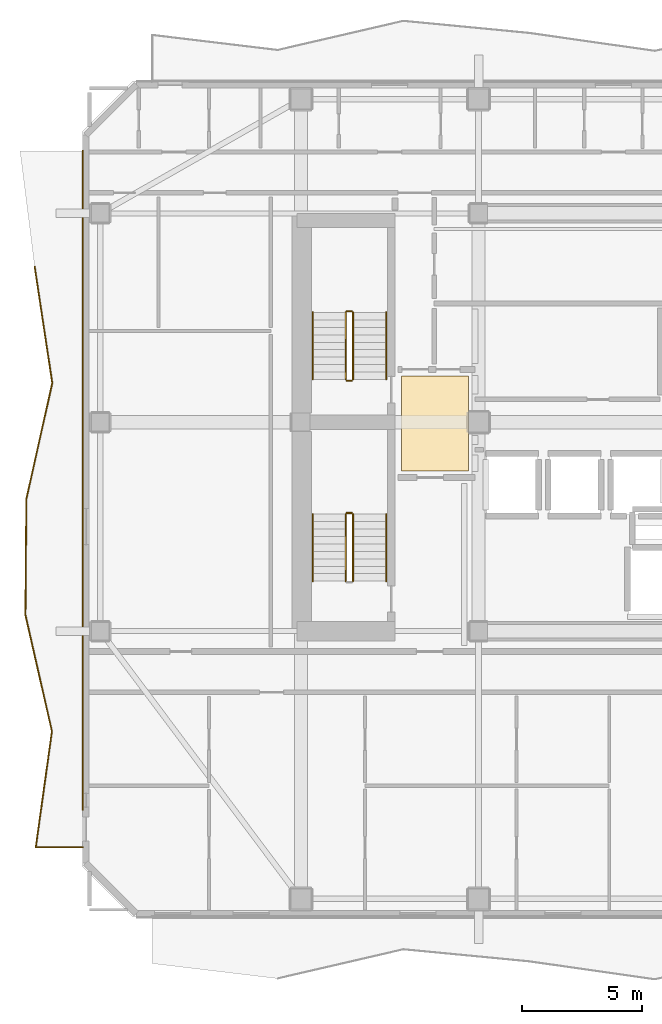
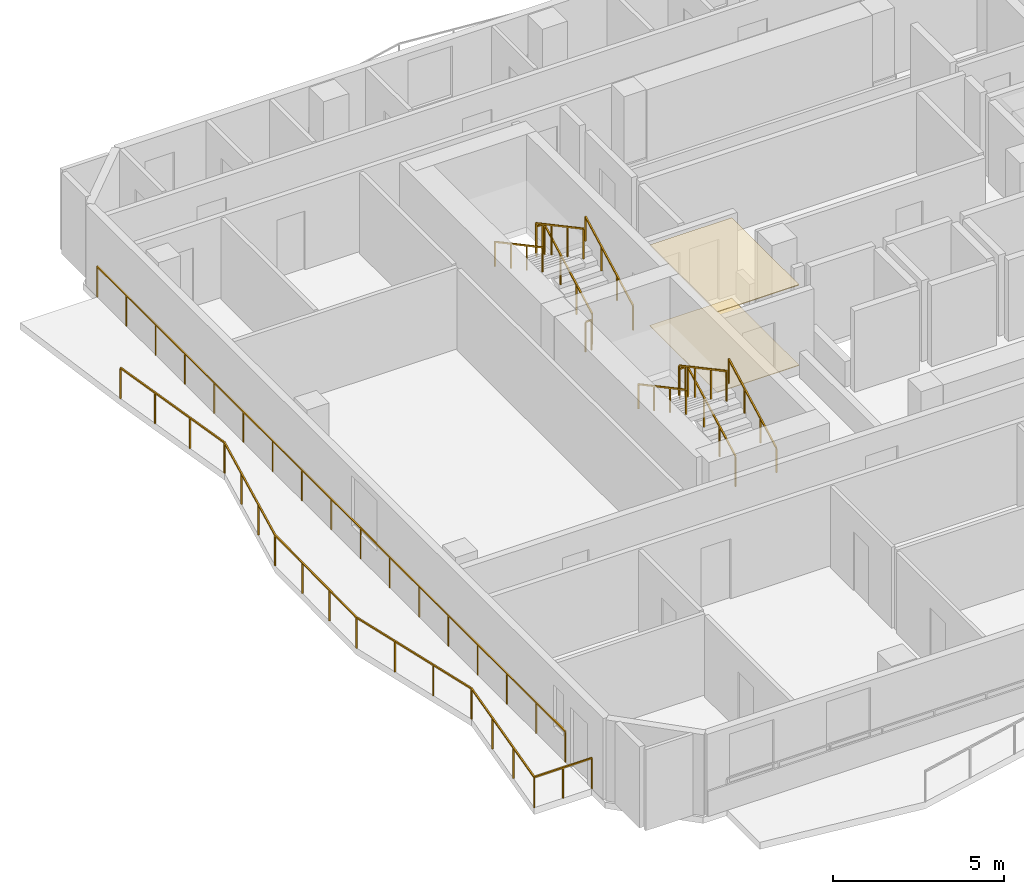
# One storey, part 8 of 10: 13 railings, 2 coverings.
"""IFC4 building model written with IfcOpenShell, lengths in metres."""

from ifc_helpers import new_model, si_unit, direction, frame, origin, origin_2d, place, context, subcontext, project, spatial, polyline, rectangle, outline, extrude, material, layer, layer_set, type_object, element, save


model = new_model("IFC4")

# Units and contexts
model_context = context("Model", 3, precision=1e-05, world=origin(), true_north=direction((0.0, 1.0)))
body_context = subcontext(model_context, "Body", "Model", "MODEL_VIEW")
ifc_project = project(units=[si_unit("LENGTHUNIT", "METRE"), si_unit("AREAUNIT", "SQUARE_METRE"), si_unit("VOLUMEUNIT", "CUBIC_METRE"), si_unit("PLANEANGLEUNIT", "RADIAN"), si_unit("MASSUNIT", "GRAM", prefix="KILO")], contexts=[model_context])

# Site, building, storey
site_placement = place(None, origin())
site = spatial("IfcSite", under=ifc_project, at=site_placement, CompositionType="ELEMENT")
building_placement = place(site_placement, origin())
building = spatial("IfcBuilding", under=site, at=building_placement, Name="Solanera Arch Residences", CompositionType="ELEMENT")
storey_placement = place(building_placement, frame((0.0, 0.0, 206.760009765625)))
storey = spatial("IfcBuildingStorey", under=building, at=storey_placement, Name="L60", CompositionType="ELEMENT", Elevation=206.760009765625)

# Railings
ifc_material_1 = material(Name="Steel S355 (ASTM A992 / A572 Grade 50)", Category="steel")
railing_type_1 = type_object("IfcRailingType", Name="Balustrade Railing BL-1100", PredefinedType="BALUSTRADE", material=ifc_material_1)
railing_1_placement = place(storey_placement, frame((2.31396484375, 37.1669921875, 0.0)))
element("IfcRailing", 1, at=railing_1_placement, inside=storey, type_object=railing_type_1, Name="L60 W Balcony Balustrade 1", PredefinedType="BALUSTRADE", context=body_context, shape_type="SweptSolid", body=[
    extrude(rectangle(XDim=0.048095703125, YDim=0.048095703125, at=origin_2d()), frame((0.0, 0.0, 1.09619140625), z_axis=(0.149707748238, -0.988730291898, 0.0), x_axis=(0.988730291898, 0.149707748238, 0.0)), (0.0, 0.0, 1.0), 4.88916015625),
    extrude(rectangle(XDim=0.048095703125, YDim=0.048095703125, at=origin_2d()), frame((0.73193359375, -4.833984375, 1.09619140625), z_axis=(-0.218052607805, -0.975937016528, 0.0), x_axis=(0.975937016528, -0.218052607805, 0.0)), (0.0, 0.0, 1.0), 4.9521484375),
    extrude(rectangle(XDim=0.048095703125, YDim=0.048095703125, at=origin_2d()), frame((-0.347900390625, -9.6669921875, 1.09619140625), z_axis=(-0.007880135199, -0.999968951253, 0.0), x_axis=(0.999968951253, -0.007880135199, 0.0)), (0.0, 0.0, 1.0), 4.833251953125),
    extrude(rectangle(XDim=0.048095703125, YDim=0.048095703125, at=origin_2d()), frame((-0.385986328125, -14.5, 1.09619140625), z_axis=(0.222650996843, -0.974898217049, 0.0), x_axis=(0.974898217049, 0.222650996843, 0.0)), (0.0, 0.0, 1.0), 4.95849609375),
    extrude(rectangle(XDim=0.048095703125, YDim=0.048095703125, at=origin_2d()), frame((0.718017578125, -19.333984375, 1.09619140625), z_axis=(-0.137693815217, -0.990474842311, 0.0), x_axis=(0.990474842311, -0.137693815217, 0.0)), (0.0, 0.0, 1.0), 4.87939453125),
    extrude(rectangle(XDim=0.048095703125, YDim=0.048095703125, at=origin_2d()), frame((0.046142578125, -24.1669921875, 1.09619140625), z_axis=(1.0, 0.0, 0.0), x_axis=(0.0, 1.0, 0.0)), (0.0, 0.0, 1.0), 1.9599609375),
    extrude(rectangle(XDim=0.0419921875, YDim=0.0419921875, at=origin_2d()), origin(), (0.0, 0.0, 1.0), 1.072021484375),
    extrude(rectangle(XDim=0.0419921875, YDim=0.0419921875, at=origin_2d()), frame((0.243896484375, -1.611328125, 0.0)), (0.0, 0.0, 1.0), 1.072021484375),
    extrude(rectangle(XDim=0.0419921875, YDim=0.0419921875, at=origin_2d()), frame((0.488037109375, -3.22265625, 0.0)), (0.0, 0.0, 1.0), 1.072021484375),
    extrude(rectangle(XDim=0.0419921875, YDim=0.0419921875, at=origin_2d()), frame((0.73193359375, -4.833984375, 0.0)), (0.0, 0.0, 1.0), 1.072021484375),
    extrude(rectangle(XDim=0.0419921875, YDim=0.0419921875, at=origin_2d()), frame((0.3720703125, -6.445068359375, 0.0)), (0.0, 0.0, 1.0), 1.072021484375),
    extrude(rectangle(XDim=0.0419921875, YDim=0.0419921875, at=origin_2d()), frame((0.011962890625, -8.055908203125, 0.0)), (0.0, 0.0, 1.0), 1.072021484375),
    extrude(rectangle(XDim=0.0419921875, YDim=0.0419921875, at=origin_2d()), frame((-0.347900390625, -9.6669921875, 0.0)), (0.0, 0.0, 1.0), 1.072021484375),
    extrude(rectangle(XDim=0.0419921875, YDim=0.0419921875, at=origin_2d()), frame((-0.360595703125, -11.278076171875, 0.0)), (0.0, 0.0, 1.0), 1.072021484375),
    extrude(rectangle(XDim=0.0419921875, YDim=0.0419921875, at=origin_2d()), frame((-0.373291015625, -12.888916015625, 0.0)), (0.0, 0.0, 1.0), 1.072021484375),
    extrude(rectangle(XDim=0.0419921875, YDim=0.0419921875, at=origin_2d()), frame((-0.385986328125, -14.5, 0.0)), (0.0, 0.0, 1.0), 1.072021484375),
    extrude(rectangle(XDim=0.0419921875, YDim=0.0419921875, at=origin_2d()), frame((-0.01806640625, -16.111328125, 0.0)), (0.0, 0.0, 1.0), 1.072021484375),
    extrude(rectangle(XDim=0.0419921875, YDim=0.0419921875, at=origin_2d()), frame((0.35009765625, -17.72265625, 0.0)), (0.0, 0.0, 1.0), 1.072021484375),
    extrude(rectangle(XDim=0.0419921875, YDim=0.0419921875, at=origin_2d()), frame((0.718017578125, -19.333984375, 0.0)), (0.0, 0.0, 1.0), 1.072021484375),
    extrude(rectangle(XDim=0.0419921875, YDim=0.0419921875, at=origin_2d()), frame((0.494140625, -20.945068359375, 0.0)), (0.0, 0.0, 1.0), 1.072021484375),
    extrude(rectangle(XDim=0.0419921875, YDim=0.0419921875, at=origin_2d()), frame((0.27001953125, -22.555908203125, 0.0)), (0.0, 0.0, 1.0), 1.072021484375),
    extrude(rectangle(XDim=0.0419921875, YDim=0.0419921875, at=origin_2d()), frame((0.046142578125, -24.1669921875, 0.0)), (0.0, 0.0, 1.0), 1.072021484375),
    extrude(rectangle(XDim=0.0419921875, YDim=0.0419921875, at=origin_2d()), frame((1.026123046875, -24.1669921875, 0.0)), (0.0, 0.0, 1.0), 1.072021484375),
    extrude(rectangle(XDim=0.0419921875, YDim=0.0419921875, at=origin_2d()), frame((2.006103515625, -24.1669921875, 0.0)), (0.0, 0.0, 1.0), 1.072021484375),
])
railing_2_placement = place(storey_placement, frame((4.320068359375, 14.554931640625, 0.0)))
element("IfcRailing", 2, at=railing_2_placement, inside=storey, type_object=railing_type_1, Name="L60 W Balcony Balustrade 2", PredefinedType="BALUSTRADE", context=body_context, shape_type="SweptSolid", body=[
    extrude(rectangle(XDim=0.048095703125, YDim=0.048095703125, at=origin_2d()), frame((0.0, 0.0, 1.09619140625), z_axis=(0.0, 1.0, 0.0), x_axis=(-1.0, 0.0, 0.0)), (0.0, 0.0, 1.0), 27.445068359375),
    extrude(rectangle(XDim=0.0419921875, YDim=0.0419921875, at=origin_2d()), origin(), (0.0, 0.0, 1.0), 1.072021484375),
    extrude(rectangle(XDim=0.0419921875, YDim=0.0419921875, at=origin_2d()), frame((0.0, 1.71533203125, 0.0)), (0.0, 0.0, 1.0), 1.072021484375),
    extrude(rectangle(XDim=0.0419921875, YDim=0.0419921875, at=origin_2d()), frame((0.0, 3.4306640625, 0.0)), (0.0, 0.0, 1.0), 1.072021484375),
    extrude(rectangle(XDim=0.0419921875, YDim=0.0419921875, at=origin_2d()), frame((0.0, 5.14599609375, 0.0)), (0.0, 0.0, 1.0), 1.072021484375),
    extrude(rectangle(XDim=0.0419921875, YDim=0.0419921875, at=origin_2d()), frame((0.0, 6.861328125, 0.0)), (0.0, 0.0, 1.0), 1.072021484375),
    extrude(rectangle(XDim=0.0419921875, YDim=0.0419921875, at=origin_2d()), frame((0.0, 8.57666015625, 0.0)), (0.0, 0.0, 1.0), 1.072021484375),
    extrude(rectangle(XDim=0.0419921875, YDim=0.0419921875, at=origin_2d()), frame((0.0, 10.2919921875, 0.0)), (0.0, 0.0, 1.0), 1.072021484375),
    extrude(rectangle(XDim=0.0419921875, YDim=0.0419921875, at=origin_2d()), frame((0.0, 12.00732421875, 0.0)), (0.0, 0.0, 1.0), 1.072021484375),
    extrude(rectangle(XDim=0.0419921875, YDim=0.0419921875, at=origin_2d()), frame((0.0, 13.72265625, 0.0)), (0.0, 0.0, 1.0), 1.072021484375),
    extrude(rectangle(XDim=0.0419921875, YDim=0.0419921875, at=origin_2d()), frame((0.0, 15.437744140625, 0.0)), (0.0, 0.0, 1.0), 1.072021484375),
    extrude(rectangle(XDim=0.0419921875, YDim=0.0419921875, at=origin_2d()), frame((0.0, 17.153076171875, 0.0)), (0.0, 0.0, 1.0), 1.072021484375),
    extrude(rectangle(XDim=0.0419921875, YDim=0.0419921875, at=origin_2d()), frame((0.0, 18.868408203125, 0.0)), (0.0, 0.0, 1.0), 1.072021484375),
    extrude(rectangle(XDim=0.0419921875, YDim=0.0419921875, at=origin_2d()), frame((0.0, 20.583740234375, 0.0)), (0.0, 0.0, 1.0), 1.072021484375),
    extrude(rectangle(XDim=0.0419921875, YDim=0.0419921875, at=origin_2d()), frame((0.0, 22.299072265625, 0.0)), (0.0, 0.0, 1.0), 1.072021484375),
    extrude(rectangle(XDim=0.0419921875, YDim=0.0419921875, at=origin_2d()), frame((0.0, 24.014404296875, 0.0)), (0.0, 0.0, 1.0), 1.072021484375),
    extrude(rectangle(XDim=0.0419921875, YDim=0.0419921875, at=origin_2d()), frame((0.0, 25.729736328125, 0.0)), (0.0, 0.0, 1.0), 1.072021484375),
    extrude(rectangle(XDim=0.0419921875, YDim=0.0419921875, at=origin_2d()), frame((0.0, 27.445068359375, 0.0)), (0.0, 0.0, 1.0), 1.072021484375),
])

# Covering
ifc_material_2 = material(Name="Porcelain Acoustic Floor Tile", Category="ceramic")
ifc_layer_1 = layer(ifc_material_2, 0.02001953125)
ifc_layer_set_1 = layer_set([ifc_layer_1], Name="Porcelain Acoustic Floor Tile")
covering_type_1 = type_object("IfcCoveringType", Name="Porcelain Acoustic Floor Finish FLR-20", PredefinedType="FLOORING", material=ifc_layer_set_1)
covering_1_placement = place(storey_placement, origin())
element("IfcCovering", 3, at=covering_1_placement, inside=storey, type_object=covering_type_1, Name="L60-FFL-W Porcelain Floor Finish", PredefinedType="FLOORING", context=body_context, shape_type="SweptSolid", body=[
    extrude(outline(polyline([(20.375, 28.675048828125), (17.594970703125, 28.675048828125), (17.594970703125, 32.625), (20.375, 32.625), (20.375, 28.675048828125)])), origin(), (0.0, 0.0, 1.0), 0.02001953125),
])

# Railings
ifc_material_3 = material(Name="Steel S355 (ASTM A992 / A572 Grade 50)", Category="steel")
railing_type_2 = type_object("IfcRailingType", Name="Stair Guardrail GR-1100", PredefinedType="GUARDRAIL", material=ifc_material_3)
railing_3_placement = place(storey_placement, frame((15.570068359375, 32.47998046875, 0.15087890625)))
element("IfcRailing", 4, at=railing_3_placement, inside=storey, type_object=railing_type_2, Name="L60 ST-T1 stair guard 1", PredefinedType="GUARDRAIL", context=body_context, shape_type="SweptSolid", body=[
    extrude(rectangle(XDim=0.048095703125, YDim=0.048095703125, at=origin_2d()), frame((0.0, 0.0, 1.076171875), z_axis=(0.0, 0.881548766853, 0.472092969298), x_axis=(-1.0, 0.0, 0.0)), (0.0, 0.0, 1.0), 3.1650390625),
    extrude(rectangle(XDim=0.0419921875, YDim=0.0419921875, at=origin_2d()), origin(), (0.0, 0.0, 1.0), 1.052001953125),
    extrude(rectangle(XDim=0.0419921875, YDim=0.0419921875, at=origin_2d()), frame((0.0, 0.929931640625, 0.498046875)), (0.0, 0.0, 1.0), 1.052001953125),
    extrude(rectangle(XDim=0.0419921875, YDim=0.0419921875, at=origin_2d()), frame((0.0, 1.860107421875, 0.99609375)), (0.0, 0.0, 1.0), 1.052001953125),
    extrude(rectangle(XDim=0.0419921875, YDim=0.0419921875, at=origin_2d()), frame((0.0, 2.7900390625, 1.494140625)), (0.0, 0.0, 1.0), 1.052001953125),
])
railing_4_placement = place(storey_placement, frame((15.52001953125, 35.320068359375, 1.64501953125)))
element("IfcRailing", 5, at=railing_4_placement, inside=storey, type_object=railing_type_2, Name="L60 ST-T1 stair guard 2", PredefinedType="GUARDRAIL", context=body_context, shape_type="SweptSolid", body=[
    extrude(rectangle(XDim=0.048095703125, YDim=0.048095703125, at=origin_2d()), frame((0.0, 0.0, 1.076171875), z_axis=(-1.0, 0.0, 0.0), x_axis=(0.0, -1.0, 0.0)), (0.0, 0.0, 1.0), 0.199951171875),
    extrude(rectangle(XDim=0.0419921875, YDim=0.0419921875, at=origin_2d()), origin(), (0.0, 0.0, 1.0), 1.052001953125),
    extrude(rectangle(XDim=0.0419921875, YDim=0.0419921875, at=origin_2d()), frame((-0.199951171875, 0.0, 0.0)), (0.0, 0.0, 1.0), 1.052001953125),
])
railing_5_placement = place(storey_placement, frame((15.27001953125, 35.27001953125, 1.81103515625)))
element("IfcRailing", 6, at=railing_5_placement, inside=storey, type_object=railing_type_2, Name="L60 ST-T1 stair guard 3", PredefinedType="GUARDRAIL", context=body_context, shape_type="SweptSolid", body=[
    extrude(rectangle(XDim=0.048095703125, YDim=0.048095703125, at=origin_2d()), frame((0.0, 0.0, 1.076171875), z_axis=(0.0, -0.881580869306, 0.472033018838), x_axis=(1.0, 0.0, 0.0)), (0.0, 0.0, 1.0), 3.164794921875),
    extrude(rectangle(XDim=0.0419921875, YDim=0.0419921875, at=origin_2d()), origin(), (0.0, 0.0, 1.0), 1.052001953125),
    extrude(rectangle(XDim=0.0419921875, YDim=0.0419921875, at=origin_2d()), frame((0.0, -0.929931640625, 0.498046875)), (0.0, 0.0, 1.0), 1.052001953125),
    extrude(rectangle(XDim=0.0419921875, YDim=0.0419921875, at=origin_2d()), frame((0.0, -1.860107421875, 0.995849609375)), (0.0, 0.0, 1.0), 1.052001953125),
    extrude(rectangle(XDim=0.0419921875, YDim=0.0419921875, at=origin_2d()), frame((0.0, -2.7900390625, 1.493896484375)), (0.0, 0.0, 1.0), 1.052001953125),
])
railing_6_placement = place(storey_placement, frame((15.52001953125, 32.429931640625, -0.014892578125)))
element("IfcRailing", 7, at=railing_6_placement, inside=storey, type_object=railing_type_2, Name="L60 ST-T1 stair guard 4", PredefinedType="GUARDRAIL", context=body_context, shape_type="SweptSolid", body=[
    extrude(rectangle(XDim=0.048095703125, YDim=0.048095703125, at=origin_2d()), frame((0.0, 0.0, 1.076171875), z_axis=(-1.0, 0.0, 0.0), x_axis=(0.0, -1.0, 0.0)), (0.0, 0.0, 1.0), 0.199951171875),
    extrude(rectangle(XDim=0.0419921875, YDim=0.0419921875, at=origin_2d()), origin(), (0.0, 0.0, 1.0), 1.052001953125),
    extrude(rectangle(XDim=0.0419921875, YDim=0.0419921875, at=origin_2d()), frame((-0.199951171875, 0.0, 0.0)), (0.0, 0.0, 1.0), 1.052001953125),
])
railing_7_placement = place(storey_placement, frame((15.570068359375, 24.080078125, 0.15087890625)))
element("IfcRailing", 8, at=railing_7_placement, inside=storey, type_object=railing_type_2, Name="L60 ST-T3 stair guard 1", PredefinedType="GUARDRAIL", context=body_context, shape_type="SweptSolid", body=[
    extrude(rectangle(XDim=0.048095703125, YDim=0.048095703125, at=origin_2d()), frame((0.0, 0.0, 1.076171875), z_axis=(0.0, 0.881548766853, 0.472092969298), x_axis=(-1.0, 0.0, 0.0)), (0.0, 0.0, 1.0), 3.1650390625),
    extrude(rectangle(XDim=0.0419921875, YDim=0.0419921875, at=origin_2d()), origin(), (0.0, 0.0, 1.0), 1.052001953125),
    extrude(rectangle(XDim=0.0419921875, YDim=0.0419921875, at=origin_2d()), frame((0.0, 0.929931640625, 0.498046875)), (0.0, 0.0, 1.0), 1.052001953125),
    extrude(rectangle(XDim=0.0419921875, YDim=0.0419921875, at=origin_2d()), frame((0.0, 1.860107421875, 0.99609375)), (0.0, 0.0, 1.0), 1.052001953125),
    extrude(rectangle(XDim=0.0419921875, YDim=0.0419921875, at=origin_2d()), frame((0.0, 2.7900390625, 1.494140625)), (0.0, 0.0, 1.0), 1.052001953125),
])
railing_8_placement = place(storey_placement, frame((15.52001953125, 26.919921875, 1.64501953125)))
element("IfcRailing", 9, at=railing_8_placement, inside=storey, type_object=railing_type_2, Name="L60 ST-T3 stair guard 2", PredefinedType="GUARDRAIL", context=body_context, shape_type="SweptSolid", body=[
    extrude(rectangle(XDim=0.048095703125, YDim=0.048095703125, at=origin_2d()), frame((0.0, 0.0, 1.076171875), z_axis=(-1.0, 0.0, 0.0), x_axis=(0.0, -1.0, 0.0)), (0.0, 0.0, 1.0), 0.199951171875),
    extrude(rectangle(XDim=0.0419921875, YDim=0.0419921875, at=origin_2d()), origin(), (0.0, 0.0, 1.0), 1.052001953125),
    extrude(rectangle(XDim=0.0419921875, YDim=0.0419921875, at=origin_2d()), frame((-0.199951171875, 0.0, 0.0)), (0.0, 0.0, 1.0), 1.052001953125),
])
railing_9_placement = place(storey_placement, frame((15.27001953125, 26.8701171875, 1.81103515625)))
element("IfcRailing", 10, at=railing_9_placement, inside=storey, type_object=railing_type_2, Name="L60 ST-T3 stair guard 3", PredefinedType="GUARDRAIL", context=body_context, shape_type="SweptSolid", body=[
    extrude(rectangle(XDim=0.048095703125, YDim=0.048095703125, at=origin_2d()), frame((0.0, 0.0, 1.076171875), z_axis=(0.0, -0.881580869306, 0.472033018838), x_axis=(1.0, 0.0, 0.0)), (0.0, 0.0, 1.0), 3.164794921875),
    extrude(rectangle(XDim=0.0419921875, YDim=0.0419921875, at=origin_2d()), origin(), (0.0, 0.0, 1.0), 1.052001953125),
    extrude(rectangle(XDim=0.0419921875, YDim=0.0419921875, at=origin_2d()), frame((0.0, -0.929931640625, 0.498046875)), (0.0, 0.0, 1.0), 1.052001953125),
    extrude(rectangle(XDim=0.0419921875, YDim=0.0419921875, at=origin_2d()), frame((0.0, -1.860107421875, 0.995849609375)), (0.0, 0.0, 1.0), 1.052001953125),
    extrude(rectangle(XDim=0.0419921875, YDim=0.0419921875, at=origin_2d()), frame((0.0, -2.7900390625, 1.493896484375)), (0.0, 0.0, 1.0), 1.052001953125),
])
ifc_material_4 = material(Name="Steel S355 (ASTM A992 / A572 Grade 50)", Category="steel")
railing_type_3 = type_object("IfcRailingType", Name="Stair Wall Handrail HR-920", PredefinedType="HANDRAIL", material=ifc_material_4)
railing_10_placement = place(storey_placement, frame((16.949951171875, 32.47998046875, 0.166015625)))
element("IfcRailing", 11, at=railing_10_placement, inside=storey, type_object=railing_type_3, Name="L60 ST-T1 stair handrail 1", PredefinedType="HANDRAIL", context=body_context, shape_type="SweptSolid", body=[
    extrude(rectangle(XDim=0.048095703125, YDim=0.048095703125, at=origin_2d()), frame((0.0, 0.0, 0.8759765625), z_axis=(0.0, 0.881580869306, 0.472033018838), x_axis=(-1.0, 0.0, 0.0)), (0.0, 0.0, 1.0), 3.164794921875),
    extrude(rectangle(XDim=0.0419921875, YDim=0.0419921875, at=origin_2d()), origin(), (0.0, 0.0, 1.0), 0.851806640625),
    extrude(rectangle(XDim=0.0419921875, YDim=0.0419921875, at=origin_2d()), frame((0.0, 0.929931640625, 0.498046875)), (0.0, 0.0, 1.0), 0.851806640625),
    extrude(rectangle(XDim=0.0419921875, YDim=0.0419921875, at=origin_2d()), frame((0.0, 1.860107421875, 0.995849609375)), (0.0, 0.0, 1.0), 0.851806640625),
    extrude(rectangle(XDim=0.0419921875, YDim=0.0419921875, at=origin_2d()), frame((0.0, 2.7900390625, 1.493896484375)), (0.0, 0.0, 1.0), 0.851806640625),
])
railing_11_placement = place(storey_placement, frame((13.889892578125, 35.27001953125, 1.825927734375)))
element("IfcRailing", 12, at=railing_11_placement, inside=storey, type_object=railing_type_3, Name="L60 ST-T1 stair handrail 2", PredefinedType="HANDRAIL", context=body_context, shape_type="SweptSolid", body=[
    extrude(rectangle(XDim=0.048095703125, YDim=0.048095703125, at=origin_2d()), frame((0.0, 0.0, 0.8759765625), z_axis=(0.0, -0.881548766853, 0.472092969298), x_axis=(1.0, 0.0, 0.0)), (0.0, 0.0, 1.0), 3.1650390625),
    extrude(rectangle(XDim=0.0419921875, YDim=0.0419921875, at=origin_2d()), origin(), (0.0, 0.0, 1.0), 0.851806640625),
    extrude(rectangle(XDim=0.0419921875, YDim=0.0419921875, at=origin_2d()), frame((0.0, -0.929931640625, 0.498046875)), (0.0, 0.0, 1.0), 0.851806640625),
    extrude(rectangle(XDim=0.0419921875, YDim=0.0419921875, at=origin_2d()), frame((0.0, -1.860107421875, 0.99609375)), (0.0, 0.0, 1.0), 0.851806640625),
    extrude(rectangle(XDim=0.0419921875, YDim=0.0419921875, at=origin_2d()), frame((0.0, -2.7900390625, 1.494140625)), (0.0, 0.0, 1.0), 0.851806640625),
])
railing_12_placement = place(storey_placement, frame((16.949951171875, 24.080078125, 0.166015625)))
element("IfcRailing", 13, at=railing_12_placement, inside=storey, type_object=railing_type_3, Name="L60 ST-T3 stair handrail 1", PredefinedType="HANDRAIL", context=body_context, shape_type="SweptSolid", body=[
    extrude(rectangle(XDim=0.048095703125, YDim=0.048095703125, at=origin_2d()), frame((0.0, 0.0, 0.8759765625), z_axis=(0.0, 0.881580869306, 0.472033018838), x_axis=(-1.0, 0.0, 0.0)), (0.0, 0.0, 1.0), 3.164794921875),
    extrude(rectangle(XDim=0.0419921875, YDim=0.0419921875, at=origin_2d()), origin(), (0.0, 0.0, 1.0), 0.851806640625),
    extrude(rectangle(XDim=0.0419921875, YDim=0.0419921875, at=origin_2d()), frame((0.0, 0.929931640625, 0.498046875)), (0.0, 0.0, 1.0), 0.851806640625),
    extrude(rectangle(XDim=0.0419921875, YDim=0.0419921875, at=origin_2d()), frame((0.0, 1.860107421875, 0.995849609375)), (0.0, 0.0, 1.0), 0.851806640625),
    extrude(rectangle(XDim=0.0419921875, YDim=0.0419921875, at=origin_2d()), frame((0.0, 2.7900390625, 1.493896484375)), (0.0, 0.0, 1.0), 0.851806640625),
])
railing_13_placement = place(storey_placement, frame((13.889892578125, 26.8701171875, 1.825927734375)))
element("IfcRailing", 14, at=railing_13_placement, inside=storey, type_object=railing_type_3, Name="L60 ST-T3 stair handrail 2", PredefinedType="HANDRAIL", context=body_context, shape_type="SweptSolid", body=[
    extrude(rectangle(XDim=0.048095703125, YDim=0.048095703125, at=origin_2d()), frame((0.0, 0.0, 0.8759765625), z_axis=(0.0, -0.881548766853, 0.472092969298), x_axis=(1.0, 0.0, 0.0)), (0.0, 0.0, 1.0), 3.1650390625),
    extrude(rectangle(XDim=0.0419921875, YDim=0.0419921875, at=origin_2d()), origin(), (0.0, 0.0, 1.0), 0.851806640625),
    extrude(rectangle(XDim=0.0419921875, YDim=0.0419921875, at=origin_2d()), frame((0.0, -0.929931640625, 0.498046875)), (0.0, 0.0, 1.0), 0.851806640625),
    extrude(rectangle(XDim=0.0419921875, YDim=0.0419921875, at=origin_2d()), frame((0.0, -1.860107421875, 0.99609375)), (0.0, 0.0, 1.0), 0.851806640625),
    extrude(rectangle(XDim=0.0419921875, YDim=0.0419921875, at=origin_2d()), frame((0.0, -2.7900390625, 1.494140625)), (0.0, 0.0, 1.0), 0.851806640625),
])

# Covering
ifc_material_5 = material(Name="Mineral Fibre Acoustic Ceiling Board", Category="gypsum")
ifc_layer_2 = layer(ifc_material_5, 0.02490234375)
ifc_layer_set_2 = layer_set([ifc_layer_2], Name="Mineral Fibre Acoustic Ceiling Board")
covering_type_2 = type_object("IfcCoveringType", Name="Suspended Acoustic Ceiling Board CLG-25", PredefinedType="CEILING", material=ifc_layer_set_2)
covering_2_placement = place(storey_placement, frame((0.0, 0.0, 2.875)))
element("IfcCovering", 15, at=covering_2_placement, inside=storey, type_object=covering_type_2, Name="L60-FFL-W Acoustic Ceiling", PredefinedType="CEILING", context=body_context, shape_type="SweptSolid", body=[
    extrude(outline(polyline([(20.375, 28.675048828125), (17.594970703125, 28.675048828125), (17.594970703125, 32.625), (20.375, 32.625), (20.375, 28.675048828125)])), origin(), (0.0, 0.0, 1.0), 0.02490234375),
])

save(model, "model.ifc")
